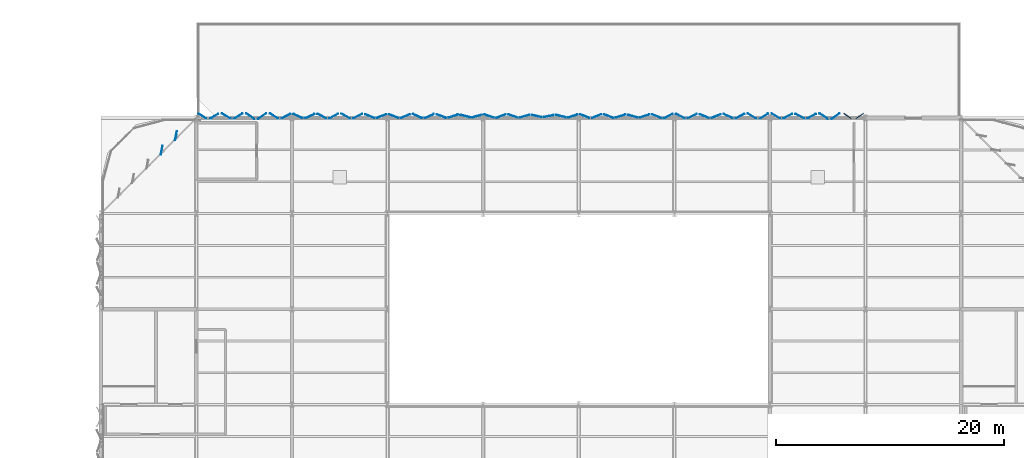
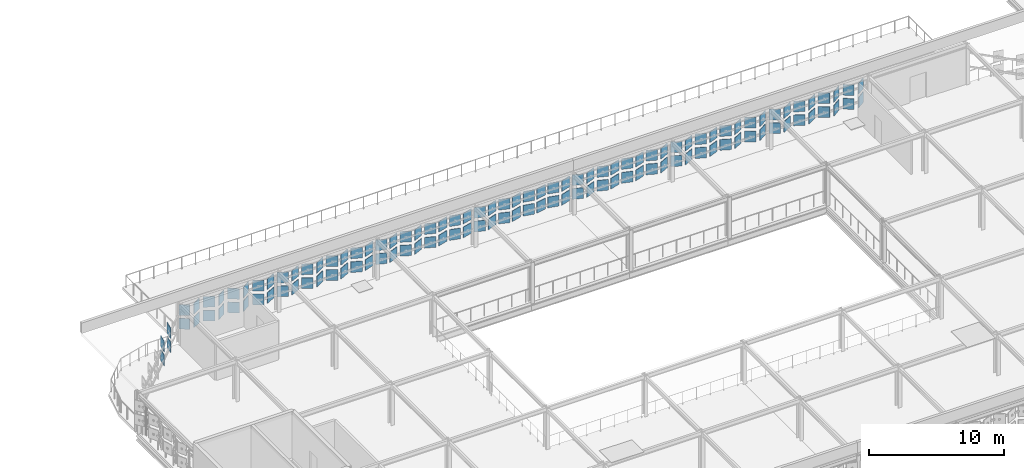
# One storey, part 44 of 65: 116 plates.
"""IFC4 building model written with IfcOpenShell, lengths in metres."""

import ifcopenshell
import ifcopenshell.guid

model = None  # the IFC model being written
_history = None  # IfcOwnerHistory: only IFC2X3 demands one
_inside = {}  # id of a spatial element -> (the spatial element, [elements in it])
_under = {}  # id of a project, library or spatial element -> (it, [spatial elements below it])
_declared = {}  # id of a project -> (the project, [libraries it declares])
_typed = {}  # id of a type object -> (the type object, [elements of that type])
_made_of = {}  # id of a material, layer set ... -> (it, [elements and type objects made of it])


def new_model(schema):
    """Start an empty IFC model of exactly this schema.

    Asked for "IFC4X3", IfcOpenShell would pick the latest addendum, in which some entities
    have other attributes; the version numbers below select the first issue.
    IFC2X3 requires an IfcOwnerHistory on every rooted entity: one is made here for all.
    """
    global model, _history
    if schema == "IFC4X3":
        model = ifcopenshell.file(schema_version=(4, 3, 0, 0))
    else:
        model = ifcopenshell.file(schema=schema)
    _inside.clear()
    _under.clear()
    _declared.clear()
    _typed.clear()
    _made_of.clear()
    _history = None
    if model.schema == "IFC2X3":
        org = make("IfcOrganization", Name="unknown")
        user = make(
            "IfcPersonAndOrganization",
            ThePerson=make("IfcPerson", FamilyName="unknown"),
            TheOrganization=org,
        )
        app = make(
            "IfcApplication",
            ApplicationDeveloper=org,
            Version="unknown",
            ApplicationFullName="unknown",
            ApplicationIdentifier="unknown",
        )
        _history = make(
            "IfcOwnerHistory",
            OwningUser=user,
            OwningApplication=app,
            ChangeAction="ADDED",
            CreationDate=0,
        )
    return model


def make(cls, **values):
    """One entity of the class cls with the attributes given. An attribute that is None is left unset."""
    return model.create_entity(
        cls, **{name: value for name, value in values.items() if value is not None}
    )


def rooted(cls, **values):
    """An entity with a GlobalId (a new one), such as an element, a storey or a relation."""
    return make(cls, GlobalId=ifcopenshell.guid.new(), OwnerHistory=_history, **values)


def si_unit(unit_type, name, prefix=None):
    """IfcSIUnit, for example si_unit("LENGTHUNIT", "METRE", prefix="MILLI")."""
    return make("IfcSIUnit", UnitType=unit_type, Prefix=prefix, Name=name)


def assignment(units):
    """IfcUnitAssignment: the units of a project."""
    return None if units is None else make("IfcUnitAssignment", Units=units)


def point(xyz):
    """IfcCartesianPoint."""
    return None if xyz is None else make("IfcCartesianPoint", Coordinates=xyz)


def direction(xyz):
    """IfcDirection."""
    return None if xyz is None else make("IfcDirection", DirectionRatios=xyz)


def frame(location, z_axis=None, x_axis=None):
    """IfcAxis2Placement3D, a coordinate frame: its origin and axes. An axis left out is left unset."""
    return make(
        "IfcAxis2Placement3D",
        Location=point(location),
        Axis=direction(z_axis),
        RefDirection=direction(x_axis),
    )


def frame_2d(location, x_axis=None):
    """IfcAxis2Placement2D, a coordinate frame in the plane: its origin and x axis."""
    return make(
        "IfcAxis2Placement2D", Location=point(location), RefDirection=direction(x_axis)
    )


def origin():
    """The frame at (0, 0, 0) with its axes left unset."""
    return frame((0.0, 0.0, 0.0))


def origin_2d():
    """The frame at (0, 0) in the plane with its x axis left unset."""
    return frame_2d((0.0, 0.0))


def place(relative_to, where):
    """IfcLocalPlacement: puts the frame where relative to a parent placement (None: the world)."""
    return make(
        "IfcLocalPlacement", PlacementRelTo=relative_to, RelativePlacement=where
    )


def context(
    kind, dimensions, precision=None, world=None, true_north=None, identifier=None
):
    """IfcGeometricRepresentationContext, for example the 3D "Model" context."""
    return make(
        "IfcGeometricRepresentationContext",
        ContextIdentifier=identifier,
        ContextType=kind,
        CoordinateSpaceDimension=dimensions,
        Precision=precision,
        WorldCoordinateSystem=world,
        TrueNorth=true_north,
    )


def subcontext(parent, identifier, kind, view, scale=None):
    """IfcGeometricRepresentationSubContext, for example "Body" below "Model"."""
    return make(
        "IfcGeometricRepresentationSubContext",
        ContextIdentifier=identifier,
        ContextType=kind,
        ParentContext=parent,
        TargetScale=scale,
        TargetView=view,
    )


def project(units=None, contexts=None):
    """IfcProject with its units and contexts."""
    return rooted(
        "IfcProject",
        Name="project",
        RepresentationContexts=contexts,
        UnitsInContext=assignment(units),
    )


def spatial(cls, under=None, at=None, **own):
    """A site, building, storey or space (cls), placed at a placement, below another one or the project."""
    s = rooted(cls, ObjectPlacement=at, **own)
    if under is not None:
        _under.setdefault(under.id(), (under, []))[1].append(s)
    return s


def profile(cls, at=None, kind="AREA", **sizes):
    """A parametric profile (cls). Its sizes go by their IFC names, for example OverallWidth=200.0."""
    return make(cls, ProfileType=kind, Position=at, **sizes)


def rectangle(**sizes):
    """IfcRectangleProfileDef."""
    return profile("IfcRectangleProfileDef", **sizes)


def extrude(swept, where, along, depth):
    """IfcExtrudedAreaSolid: the profile swept, set in the frame where, extruded along a direction by depth."""
    return make(
        "IfcExtrudedAreaSolid",
        SweptArea=swept,
        Position=where,
        ExtrudedDirection=direction(along),
        Depth=depth,
    )


def shape(context_of_items, identifier, shape_type, items):
    """IfcShapeRepresentation: the items that make up one representation, for example the "Body"."""
    return make(
        "IfcShapeRepresentation",
        ContextOfItems=context_of_items,
        RepresentationIdentifier=identifier,
        RepresentationType=shape_type,
        Items=items,
    )


def material(Name=None, Category=None):
    """IfcMaterial."""
    return make("IfcMaterial", Name=Name, Category=Category)


def layer(
    of_material, thickness, ventilated=None, Name=None, Category=None, Priority=None
):
    """IfcMaterialLayer: one layer of a wall or slab, of a material (None: an air gap)."""
    return make(
        "IfcMaterialLayer",
        Material=of_material,
        LayerThickness=thickness,
        IsVentilated=ventilated,
        Name=Name,
        Category=Category,
        Priority=Priority,
    )


def layer_set(layers, Name=None):
    """IfcMaterialLayerSet."""
    return make("IfcMaterialLayerSet", MaterialLayers=layers, LayerSetName=Name)


def made_of(thing, what):
    """Note that an element or type object is made of a material, layer set ...; save() writes the relation."""
    if what is not None:
        _made_of.setdefault(what.id(), (what, []))[1].append(thing)
    return thing


def type_object(cls, material=None, **own):
    """A type object (cls), such as IfcWallType, which elements share."""
    return made_of(rooted(cls, **own), material)


def element(
    cls,
    number,
    at=None,
    inside=None,
    cuts=None,
    type_object=None,
    material=None,
    context=None,
    identifier="Body",
    shape_type=None,
    held_by="IfcProductDefinitionShape",
    body=None,
    shapes=None,
    **own,
):
    """One element of the class cls, such as IfcWall. Its Tag is "e" and its number.

    at: its placement. inside: the storey or other place that contains it. cuts: it is an
    opening in that element (IfcRelVoidsElement). A single representation is given by context,
    identifier, shape_type and body (its items); several are given by shapes. held_by: the class
    of the entity that holds the representations. save() writes the other relations.
    """
    e = rooted(cls, Tag="e%d" % number, ObjectPlacement=at, **own)
    if body is not None:
        shapes = [shape(context, identifier, shape_type, body)]
    if shapes is not None:
        e.Representation = make(held_by, Representations=shapes)
    if inside is not None:
        _inside.setdefault(inside.id(), (inside, []))[1].append(e)
    if cuts is not None:
        rooted(
            "IfcRelVoidsElement", RelatingBuildingElement=cuts, RelatedOpeningElement=e
        )
    if type_object is not None:
        _typed.setdefault(type_object.id(), (type_object, []))[1].append(e)
    return made_of(e, material)


def aggregate(whole, parts):
    """IfcRelAggregates: a whole, such as a stair, and the parts it consists of."""
    return rooted("IfcRelAggregates", RelatingObject=whole, RelatedObjects=parts)


def save(model, path):
    """Write the relations noted so far, then the file.

    IfcRelAggregates (storeys below a building ...), IfcRelContainedInSpatialStructure (elements
    in a storey), IfcRelDefinesByType, IfcRelAssociatesMaterial and IfcRelDeclares: one each for
    every whole, place, type object, material and project.
    """
    for whole, parts in _under.values():
        aggregate(whole, parts)
    for where, things in _inside.values():
        rooted(
            "IfcRelContainedInSpatialStructure",
            RelatedElements=things,
            RelatingStructure=where,
        )
    for kind, things in _typed.values():
        rooted("IfcRelDefinesByType", RelatedObjects=things, RelatingType=kind)
    for what, things in _made_of.values():
        rooted("IfcRelAssociatesMaterial", RelatedObjects=things, RelatingMaterial=what)
    for by, libraries in _declared.values():
        rooted("IfcRelDeclares", RelatingContext=by, RelatedDefinitions=libraries)
    model.write(path)


model = new_model("IFC4")

# Units and contexts
model_context = context("Model", 3, precision=1e-05, world=origin(), true_north=direction((0.0, 1.0)))
body_context = subcontext(model_context, "Body", "Model", "MODEL_VIEW")
ifc_project = project(units=[si_unit("LENGTHUNIT", "METRE"), si_unit("AREAUNIT", "SQUARE_METRE"), si_unit("VOLUMEUNIT", "CUBIC_METRE"), si_unit("PLANEANGLEUNIT", "RADIAN"), si_unit("MASSUNIT", "GRAM", prefix="KILO")], contexts=[model_context])

# Site, building, storey
site_placement = place(None, origin())
site = spatial("IfcSite", under=ifc_project, at=site_placement, CompositionType="ELEMENT")
building_placement = place(site_placement, origin())
building = spatial("IfcBuilding", under=site, at=building_placement, Name="Qalvenar Corner Mobility Hub", CompositionType="ELEMENT")
storey_placement = place(building_placement, frame((0.0, 0.0, 17.39990234375)))
storey = spatial("IfcBuildingStorey", under=building, at=storey_placement, Name="L04", CompositionType="ELEMENT", Elevation=17.39990234375)

# Plates
ifc_material = material(Name="Champagne-Silver Brushed Aluminium", Category="aluminium")
ifc_layer_1 = layer(ifc_material, 0.048095703125)
ifc_layer_set_1 = layer_set([ifc_layer_1], Name="Champagne-Silver Brushed Aluminium")
plate_type_1 = type_object("IfcPlateType", Name="PLT-XC-L4-CRN", PredefinedType="SHEET", material=ifc_layer_set_1)
for number, where, z_axis, x_axis, name in (
    (1, (125.47509765625, 109.360107421875, 1.02001953125), (0.0, 0.0, 1.0), (-0.820551109147, -0.57157316004, 0.0), "Hinged Facade Panel FP-L04-1209"),
    (2, (125.47509765625, 109.360107421875, 2.27001953125), (0.0, 0.0, 1.0), (-0.820551109147, -0.57157316004, 0.0), "Hinged Facade Panel FP-L04-1210"),
    (3, (124.425048828125, 109.360107421875, 1.02001953125), (0.0, 0.0, 1.0), (-0.819152044289, 0.573576436351, 0.0), "Hinged Facade Panel FP-L04-1211"),
    (4, (124.425048828125, 109.360107421875, 2.27001953125), (0.0, 0.0, 1.0), (-0.819152044289, 0.573576436351, 0.0), "Hinged Facade Panel FP-L04-1212"),
    (5, (68.77490234375, 109.360107421875, 1.02001953125), (0.0, 0.0, 1.0), (-0.871898392604, -0.48968683153, 0.0), "Hinged Facade Panel FP-L04-1317"),
    (6, (68.77490234375, 109.360107421875, 2.27001953125), (0.0, 0.0, 1.0), (-0.871898392604, -0.48968683153, 0.0), "Hinged Facade Panel FP-L04-1318"),
    (7, (67.72509765625, 109.360107421875, 1.02001953125), (0.0, 0.0, 1.0), (-0.848879444811, 0.528586500185, 0.0), "Hinged Facade Panel FP-L04-1319"),
    (8, (67.72509765625, 109.360107421875, 2.27001953125), (0.0, 0.0, 1.0), (-0.848879444811, 0.528586500185, 0.0), "Hinged Facade Panel FP-L04-1320"),
    (9, (65.406982421875, 107.633056640625, 1.02001953125), (0.0, 0.0, 1.0), (-0.190808995377, -0.981627183448, 0.0), "Corner Hinged Panel FPC-L04-1399"),
    (10, (64.14697265625, 106.373046875, 1.02001953125), (0.0, 0.0, 1.0), (-0.190808995377, -0.981627183448, 0.0), "Corner Hinged Panel FPC-L04-1400"),
    (11, (65.406982421875, 107.633056640625, 2.27001953125), (0.0, 0.0, 1.0), (-0.190808995377, -0.981627183448, 0.0), "Corner Hinged Panel FPC-L04-1404"),
    (12, (64.14697265625, 106.373046875, 2.27001953125), (0.0, 0.0, 1.0), (-0.190808995377, -0.981627183448, 0.0), "Corner Hinged Panel FPC-L04-1405"),
):
    element("IfcPlate", number, at=place(storey_placement, frame(where, z_axis=z_axis, x_axis=x_axis)), inside=storey, type_object=plate_type_1, Name=name, PredefinedType="SHEET", context=body_context, shape_type="SweptSolid", body=[
        extrude(rectangle(XDim=0.800048828125, YDim=0.048095703125, at=origin_2d()), origin(), (0.0, 0.0, 1.0), 0.9599609375),
    ])
ifc_layer_2 = layer(ifc_material, 0.0458984375)
ifc_layer_set_2 = layer_set([ifc_layer_2], Name="Champagne-Silver Brushed Aluminium")
plate_type_2 = type_object("IfcPlateType", Name="PLT-XC-L4-STD", PredefinedType="SHEET", material=ifc_layer_set_2)
for number, where, z_axis, x_axis, name in (
    (13, (123.375, 109.360107421875, 1.02001953125), (0.0, 0.0, 1.0), (-0.819152044289, -0.573576436351, 0.0), "Hinged Facade Panel FP-L04-1213"),
    (14, (123.375, 109.360107421875, 2.27001953125), (0.0, 0.0, 1.0), (-0.819152044289, -0.573576436351, 0.0), "Hinged Facade Panel FP-L04-1214"),
    (15, (122.324951171875, 109.360107421875, 1.02001953125), (0.0, 0.0, 1.0), (-0.841039012964, 0.540974471368, 0.0), "Hinged Facade Panel FP-L04-1215"),
    (16, (122.324951171875, 109.360107421875, 2.27001953125), (0.0, 0.0, 1.0), (-0.841039012964, 0.540974471368, 0.0), "Hinged Facade Panel FP-L04-1216"),
    (17, (121.27490234375, 109.360107421875, 1.02001953125), (0.0, 0.0, 1.0), (-0.877648571535, -0.479304688984, 0.0), "Hinged Facade Panel FP-L04-1217"),
    (18, (121.27490234375, 109.360107421875, 2.27001953125), (0.0, 0.0, 1.0), (-0.877648571535, -0.479304688984, 0.0), "Hinged Facade Panel FP-L04-1218"),
    (19, (120.22509765625, 109.360107421875, 1.02001953125), (0.0, 0.0, 1.0), (-0.895478827032, 0.445104111795, 0.0), "Hinged Facade Panel FP-L04-1219"),
    (20, (120.22509765625, 109.360107421875, 2.27001953125), (0.0, 0.0, 1.0), (-0.895478827032, 0.445104111795, 0.0), "Hinged Facade Panel FP-L04-1220"),
    (21, (119.175048828125, 109.360107421875, 1.02001953125), (0.0, 0.0, 1.0), (-0.889097042019, -0.457718745382, 0.0), "Hinged Facade Panel FP-L04-1221"),
    (22, (119.175048828125, 109.360107421875, 2.27001953125), (0.0, 0.0, 1.0), (-0.889097042019, -0.457718745382, 0.0), "Hinged Facade Panel FP-L04-1222"),
    (23, (118.125, 109.360107421875, 1.02001953125), (0.0, 0.0, 1.0), (-0.866635622545, 0.498941577478, 0.0), "Hinged Facade Panel FP-L04-1223"),
    (24, (118.125, 109.360107421875, 2.27001953125), (0.0, 0.0, 1.0), (-0.866635622545, 0.498941577478, 0.0), "Hinged Facade Panel FP-L04-1224"),
    (25, (117.074951171875, 109.360107421875, 1.02001953125), (0.0, 0.0, 1.0), (-0.848879444811, -0.528586500185, 0.0), "Hinged Facade Panel FP-L04-1225"),
    (26, (117.074951171875, 109.360107421875, 2.27001953125), (0.0, 0.0, 1.0), (-0.848879444811, -0.528586500185, 0.0), "Hinged Facade Panel FP-L04-1226"),
    (27, (116.02490234375, 109.360107421875, 1.02001953125), (0.0, 0.0, 1.0), (-0.855815998251, 0.517280366086, 0.0), "Hinged Facade Panel FP-L04-1227"),
    (28, (116.02490234375, 109.360107421875, 2.27001953125), (0.0, 0.0, 1.0), (-0.855815998251, 0.517280366086, 0.0), "Hinged Facade Panel FP-L04-1228"),
    (29, (114.97509765625, 109.360107421875, 1.02001953125), (0.0, 0.0, 1.0), (-0.885555832294, -0.464532956732, 0.0), "Hinged Facade Panel FP-L04-1229"),
    (30, (114.97509765625, 109.360107421875, 2.27001953125), (0.0, 0.0, 1.0), (-0.885555832294, -0.464532956732, 0.0), "Hinged Facade Panel FP-L04-1230"),
    (31, (113.925048828125, 109.360107421875, 1.02001953125), (0.0, 0.0, 1.0), (-0.916432589693, 0.400189090992, 0.0), "Hinged Facade Panel FP-L04-1231"),
    (32, (113.925048828125, 109.360107421875, 2.27001953125), (0.0, 0.0, 1.0), (-0.916432589693, 0.400189090992, 0.0), "Hinged Facade Panel FP-L04-1232"),
    (33, (112.875, 109.360107421875, 1.02001953125), (0.0, 0.0, 1.0), (-0.930864639207, -0.365364233984, 0.0), "Hinged Facade Panel FP-L04-1233"),
    (34, (112.875, 109.360107421875, 2.27001953125), (0.0, 0.0, 1.0), (-0.930864639207, -0.365364233984, 0.0), "Hinged Facade Panel FP-L04-1234"),
    (35, (111.824951171875, 109.360107421875, 1.02001953125), (0.0, 0.0, 1.0), (-0.925275931887, 0.379294674192, 0.0), "Hinged Facade Panel FP-L04-1235"),
    (36, (111.824951171875, 109.360107421875, 2.27001953125), (0.0, 0.0, 1.0), (-0.925275931887, 0.379294674192, 0.0), "Hinged Facade Panel FP-L04-1236"),
    (37, (110.77490234375, 109.360107421875, 1.02001953125), (0.0, 0.0, 1.0), (-0.906381534034, -0.422460074755, 0.0), "Hinged Facade Panel FP-L04-1237"),
    (38, (110.77490234375, 109.360107421875, 2.27001953125), (0.0, 0.0, 1.0), (-0.906381534034, -0.422460074755, 0.0), "Hinged Facade Panel FP-L04-1238"),
    (39, (109.72509765625, 109.360107421875, 1.02001953125), (0.0, 0.0, 1.0), (-0.891481453292, 0.453057191132, 0.0), "Hinged Facade Panel FP-L04-1239"),
    (40, (109.72509765625, 109.360107421875, 2.27001953125), (0.0, 0.0, 1.0), (-0.891481453292, 0.453057191132, 0.0), "Hinged Facade Panel FP-L04-1240"),
    (41, (108.675048828125, 109.360107421875, 1.02001953125), (0.0, 0.0, 1.0), (-0.897873953312, -0.440252613806, 0.0), "Hinged Facade Panel FP-L04-1241"),
    (42, (108.675048828125, 109.360107421875, 2.27001953125), (0.0, 0.0, 1.0), (-0.897873953312, -0.440252613806, 0.0), "Hinged Facade Panel FP-L04-1242"),
    (43, (107.625, 109.360107421875, 1.02001953125), (0.0, 0.0, 1.0), (-0.923076016497, 0.3846175604, 0.0), "Hinged Facade Panel FP-L04-1243"),
    (44, (107.625, 109.360107421875, 2.27001953125), (0.0, 0.0, 1.0), (-0.923076016497, 0.3846175604, 0.0), "Hinged Facade Panel FP-L04-1244"),
    (45, (106.574951171875, 109.360107421875, 1.02001953125), (0.0, 0.0, 1.0), (-0.948101903684, -0.317966633832, 0.0), "Hinged Facade Panel FP-L04-1245"),
    (46, (106.574951171875, 109.360107421875, 2.27001953125), (0.0, 0.0, 1.0), (-0.948101903684, -0.317966633832, 0.0), "Hinged Facade Panel FP-L04-1246"),
    (47, (105.52490234375, 109.360107421875, 1.02001953125), (0.0, 0.0, 1.0), (-0.959166009405, 0.28284371374, 0.0), "Hinged Facade Panel FP-L04-1247"),
    (48, (105.52490234375, 109.360107421875, 2.27001953125), (0.0, 0.0, 1.0), (-0.959166009405, 0.28284371374, 0.0), "Hinged Facade Panel FP-L04-1248"),
    (49, (104.47509765625, 109.360107421875, 1.02001953125), (0.0, 0.0, 1.0), (-0.954500927457, -0.298207946716, 0.0), "Hinged Facade Panel FP-L04-1249"),
    (50, (104.47509765625, 109.360107421875, 2.27001953125), (0.0, 0.0, 1.0), (-0.954500927457, -0.298207946716, 0.0), "Hinged Facade Panel FP-L04-1250"),
    (51, (103.425048828125, 109.360107421875, 1.02001953125), (0.0, 0.0, 1.0), (-0.939333942951, 0.343003999424, 0.0), "Hinged Facade Panel FP-L04-1251"),
    (52, (103.425048828125, 109.360107421875, 2.27001953125), (0.0, 0.0, 1.0), (-0.939333942951, 0.343003999424, 0.0), "Hinged Facade Panel FP-L04-1252"),
    (53, (102.375, 109.360107421875, 1.02001953125), (0.0, 0.0, 1.0), (-0.927445153335, -0.373959205738, 0.0), "Hinged Facade Panel FP-L04-1253"),
    (54, (102.375, 109.360107421875, 2.27001953125), (0.0, 0.0, 1.0), (-0.927445153335, -0.373959205738, 0.0), "Hinged Facade Panel FP-L04-1254"),
    (55, (101.324951171875, 109.360107421875, 1.02001953125), (0.0, 0.0, 1.0), (-0.933016351911, 0.359833971528, 0.0), "Hinged Facade Panel FP-L04-1255"),
    (56, (101.324951171875, 109.360107421875, 2.27001953125), (0.0, 0.0, 1.0), (-0.933016351911, 0.359833971528, 0.0), "Hinged Facade Panel FP-L04-1256"),
    (57, (100.27490234375, 109.360107421875, 1.02001953125), (0.0, 0.0, 1.0), (-0.953454172319, -0.301537959944, 0.0), "Hinged Facade Panel FP-L04-1257"),
    (58, (100.27490234375, 109.360107421875, 2.27001953125), (0.0, 0.0, 1.0), (-0.953454172319, -0.301537959944, 0.0), "Hinged Facade Panel FP-L04-1258"),
    (59, (99.22509765625, 109.360107421875, 1.02001953125), (0.0, 0.0, 1.0), (-0.97241064949, 0.233275649735, 0.0), "Hinged Facade Panel FP-L04-1259"),
    (60, (99.22509765625, 109.360107421875, 2.27001953125), (0.0, 0.0, 1.0), (-0.97241064949, 0.233275649735, 0.0), "Hinged Facade Panel FP-L04-1260"),
    (61, (98.175048828125, 109.360107421875, 1.02001953125), (0.0, 0.0, 1.0), (-0.980167547112, -0.198170582048, 0.0), "Hinged Facade Panel FP-L04-1261"),
    (62, (98.175048828125, 109.360107421875, 2.27001953125), (0.0, 0.0, 1.0), (-0.980167547112, -0.198170582048, 0.0), "Hinged Facade Panel FP-L04-1262"),
    (63, (97.125, 109.360107421875, 1.02001953125), (0.0, 0.0, 1.0), (-0.976672278334, 0.214735327167, 0.0), "Hinged Facade Panel FP-L04-1263"),
    (64, (97.125, 109.360107421875, 2.27001953125), (0.0, 0.0, 1.0), (-0.976672278334, 0.214735327167, 0.0), "Hinged Facade Panel FP-L04-1264"),
    (65, (96.074951171875, 109.360107421875, 1.02001953125), (0.0, 0.0, 1.0), (-0.962027671586, -0.272951935517, 0.0), "Hinged Facade Panel FP-L04-1265"),
    (66, (96.074951171875, 109.360107421875, 2.27001953125), (0.0, 0.0, 1.0), (-0.962027671586, -0.272951935517, 0.0), "Hinged Facade Panel FP-L04-1266"),
    (67, (95.02490234375, 109.360107421875, 1.02001953125), (0.0, 0.0, 1.0), (-0.944777451743, 0.327712628196, 0.0), "Hinged Facade Panel FP-L04-1267"),
    (68, (95.02490234375, 109.360107421875, 2.27001953125), (0.0, 0.0, 1.0), (-0.944777451743, 0.327712628196, 0.0), "Hinged Facade Panel FP-L04-1268"),
    (69, (93.97509765625, 109.360107421875, 1.02001953125), (0.0, 0.0, 1.0), (-0.941881681629, -0.335944783874, 0.0), "Hinged Facade Panel FP-L04-1269"),
    (70, (93.97509765625, 109.360107421875, 2.27001953125), (0.0, 0.0, 1.0), (-0.941881681629, -0.335944783874, 0.0), "Hinged Facade Panel FP-L04-1270"),
    (71, (92.925048828125, 109.360107421875, 1.02001953125), (0.0, 0.0, 1.0), (-0.953821858768, 0.300372871173, 0.0), "Hinged Facade Panel FP-L04-1271"),
    (72, (92.925048828125, 109.360107421875, 2.27001953125), (0.0, 0.0, 1.0), (-0.953821858768, 0.300372871173, 0.0), "Hinged Facade Panel FP-L04-1272"),
    (73, (91.875, 109.360107421875, 1.02001953125), (0.0, 0.0, 1.0), (-0.966510581262, -0.256626764599, 0.0), "Hinged Facade Panel FP-L04-1273"),
    (74, (91.875, 109.360107421875, 2.27001953125), (0.0, 0.0, 1.0), (-0.966510581262, -0.256626764599, 0.0), "Hinged Facade Panel FP-L04-1274"),
    (75, (90.824951171875, 109.360107421875, 1.02001953125), (0.0, 0.0, 1.0), (-0.969015731407, 0.246999012723, 0.0), "Hinged Facade Panel FP-L04-1275"),
    (76, (90.824951171875, 109.360107421875, 2.27001953125), (0.0, 0.0, 1.0), (-0.969015731407, 0.246999012723, 0.0), "Hinged Facade Panel FP-L04-1276"),
    (77, (89.77490234375, 109.360107421875, 1.02001953125), (0.0, 0.0, 1.0), (-0.957621645958, -0.288029136015, 0.0), "Hinged Facade Panel FP-L04-1277"),
    (78, (89.77490234375, 109.360107421875, 2.27001953125), (0.0, 0.0, 1.0), (-0.957621645958, -0.288029136015, 0.0), "Hinged Facade Panel FP-L04-1278"),
    (79, (88.72509765625, 109.360107421875, 1.02001953125), (0.0, 0.0, 1.0), (-0.934204474321, 0.35673799932, 0.0), "Hinged Facade Panel FP-L04-1279"),
    (80, (88.72509765625, 109.360107421875, 2.27001953125), (0.0, 0.0, 1.0), (-0.934204474321, 0.35673799932, 0.0), "Hinged Facade Panel FP-L04-1280"),
    (81, (87.675048828125, 109.360107421875, 1.02001953125), (0.0, 0.0, 1.0), (-0.912406074136, -0.40928615403, 0.0), "Hinged Facade Panel FP-L04-1281"),
    (82, (87.675048828125, 109.360107421875, 2.27001953125), (0.0, 0.0, 1.0), (-0.912406074136, -0.40928615403, 0.0), "Hinged Facade Panel FP-L04-1282"),
    (83, (86.625, 109.360107421875, 1.02001953125), (0.0, 0.0, 1.0), (-0.909308749903, 0.416122094283, 0.0), "Hinged Facade Panel FP-L04-1283"),
    (84, (86.625, 109.360107421875, 2.27001953125), (0.0, 0.0, 1.0), (-0.909308749903, 0.416122094283, 0.0), "Hinged Facade Panel FP-L04-1284"),
    (85, (85.574951171875, 109.360107421875, 1.02001953125), (0.0, 0.0, 1.0), (-0.924412958633, -0.381393080575, 0.0), "Hinged Facade Panel FP-L04-1285"),
    (86, (85.574951171875, 109.360107421875, 2.27001953125), (0.0, 0.0, 1.0), (-0.924412958633, -0.381393080575, 0.0), "Hinged Facade Panel FP-L04-1286"),
    (87, (84.52490234375, 109.360107421875, 1.02001953125), (0.0, 0.0, 1.0), (-0.940762469795, 0.339066328947, 0.0), "Hinged Facade Panel FP-L04-1287"),
    (88, (84.52490234375, 109.360107421875, 2.27001953125), (0.0, 0.0, 1.0), (-0.940762469795, 0.339066328947, 0.0), "Hinged Facade Panel FP-L04-1288"),
    (89, (83.47509765625, 109.360107421875, 1.02001953125), (0.0, 0.0, 1.0), (-0.943800951583, -0.330514392713, 0.0), "Hinged Facade Panel FP-L04-1289"),
    (90, (83.47509765625, 109.360107421875, 2.27001953125), (0.0, 0.0, 1.0), (-0.943800951583, -0.330514392713, 0.0), "Hinged Facade Panel FP-L04-1290"),
    (91, (82.425048828125, 109.360107421875, 1.02001953125), (0.0, 0.0, 1.0), (-0.928485826881, 0.37136783555, 0.0), "Hinged Facade Panel FP-L04-1291"),
    (92, (82.425048828125, 109.360107421875, 2.27001953125), (0.0, 0.0, 1.0), (-0.928485826881, 0.37136783555, 0.0), "Hinged Facade Panel FP-L04-1292"),
    (93, (81.375, 109.360107421875, 1.02001953125), (0.0, 0.0, 1.0), (-0.899099868038, -0.437743563395, 0.0), "Hinged Facade Panel FP-L04-1293"),
    (94, (81.375, 109.360107421875, 2.27001953125), (0.0, 0.0, 1.0), (-0.899099868038, -0.437743563395, 0.0), "Hinged Facade Panel FP-L04-1294"),
    (95, (80.324951171875, 109.360107421875, 1.02001953125), (0.0, 0.0, 1.0), (-0.873092319232, 0.487554922136, 0.0), "Hinged Facade Panel FP-L04-1295"),
    (96, (80.324951171875, 109.360107421875, 2.27001953125), (0.0, 0.0, 1.0), (-0.873092319232, 0.487554922136, 0.0), "Hinged Facade Panel FP-L04-1296"),
    (97, (79.27490234375, 109.360107421875, 1.02001953125), (0.0, 0.0, 1.0), (-0.869839554062, -0.493334724289, 0.0), "Hinged Facade Panel FP-L04-1297"),
    (98, (79.27490234375, 109.360107421875, 2.27001953125), (0.0, 0.0, 1.0), (-0.869839554062, -0.493334724289, 0.0), "Hinged Facade Panel FP-L04-1298"),
    (99, (78.22509765625, 109.360107421875, 1.02001953125), (0.0, 0.0, 1.0), (-0.888216647103, 0.45942484457, 0.0), "Hinged Facade Panel FP-L04-1299"),
    (100, (78.22509765625, 109.360107421875, 2.27001953125), (0.0, 0.0, 1.0), (-0.888216647103, 0.45942484457, 0.0), "Hinged Facade Panel FP-L04-1300"),
    (101, (77.175048828125, 109.360107421875, 1.02001953125), (0.0, 0.0, 1.0), (-0.907996978683, -0.418976713794, 0.0), "Hinged Facade Panel FP-L04-1301"),
    (102, (77.175048828125, 109.360107421875, 2.27001953125), (0.0, 0.0, 1.0), (-0.907996978683, -0.418976713794, 0.0), "Hinged Facade Panel FP-L04-1302"),
    (103, (76.125, 109.360107421875, 1.02001953125), (0.0, 0.0, 1.0), (-0.91133143995, 0.411673422216, 0.0), "Hinged Facade Panel FP-L04-1303"),
    (104, (76.125, 109.360107421875, 2.27001953125), (0.0, 0.0, 1.0), (-0.91133143995, 0.411673422216, 0.0), "Hinged Facade Panel FP-L04-1304"),
    (105, (75.074951171875, 109.360107421875, 1.02001953125), (0.0, 0.0, 1.0), (-0.892113171267, -0.451812006981, 0.0), "Hinged Facade Panel FP-L04-1305"),
    (106, (75.074951171875, 109.360107421875, 2.27001953125), (0.0, 0.0, 1.0), (-0.892113171267, -0.451812006981, 0.0), "Hinged Facade Panel FP-L04-1306"),
    (107, (74.02490234375, 109.360107421875, 1.02001953125), (0.0, 0.0, 1.0), (-0.85689750991, 0.515486816038, 0.0), "Hinged Facade Panel FP-L04-1307"),
    (108, (74.02490234375, 109.360107421875, 2.27001953125), (0.0, 0.0, 1.0), (-0.85689750991, 0.515486816038, 0.0), "Hinged Facade Panel FP-L04-1308"),
    (109, (72.97509765625, 109.360107421875, 1.02001953125), (0.0, 0.0, 1.0), (-0.827080574275, -0.562083377852, 0.0), "Hinged Facade Panel FP-L04-1309"),
    (110, (72.97509765625, 109.360107421875, 2.27001953125), (0.0, 0.0, 1.0), (-0.827080574275, -0.562083377852, 0.0), "Hinged Facade Panel FP-L04-1310"),
    (111, (71.925048828125, 109.360107421875, 1.02001953125), (0.0, 0.0, 1.0), (-0.823928425343, 0.56669387672, 0.0), "Hinged Facade Panel FP-L04-1311"),
    (112, (71.925048828125, 109.360107421875, 2.27001953125), (0.0, 0.0, 1.0), (-0.823928425343, 0.56669387672, 0.0), "Hinged Facade Panel FP-L04-1312"),
    (113, (70.875, 109.360107421875, 1.02001953125), (0.0, 0.0, 1.0), (-0.845448305879, -0.534057264801, 0.0), "Hinged Facade Panel FP-L04-1313"),
    (114, (70.875, 109.360107421875, 2.27001953125), (0.0, 0.0, 1.0), (-0.845448305879, -0.534057264801, 0.0), "Hinged Facade Panel FP-L04-1314"),
    (115, (69.824951171875, 109.360107421875, 1.02001953125), (0.0, 0.0, 1.0), (-0.86845851382, 0.495761847839, 0.0), "Hinged Facade Panel FP-L04-1315"),
    (116, (69.824951171875, 109.360107421875, 2.27001953125), (0.0, 0.0, 1.0), (-0.86845851382, 0.495761847839, 0.0), "Hinged Facade Panel FP-L04-1316"),
):
    element("IfcPlate", number, at=place(storey_placement, frame(where, z_axis=z_axis, x_axis=x_axis)), inside=storey, type_object=plate_type_2, Name=name, PredefinedType="SHEET", context=body_context, shape_type="SweptSolid", body=[
        extrude(rectangle(XDim=0.860107421875, YDim=0.0458984375, at=origin_2d()), origin(), (0.0, 0.0, 1.0), 0.9599609375),
    ])

save(model, "model.ifc")
